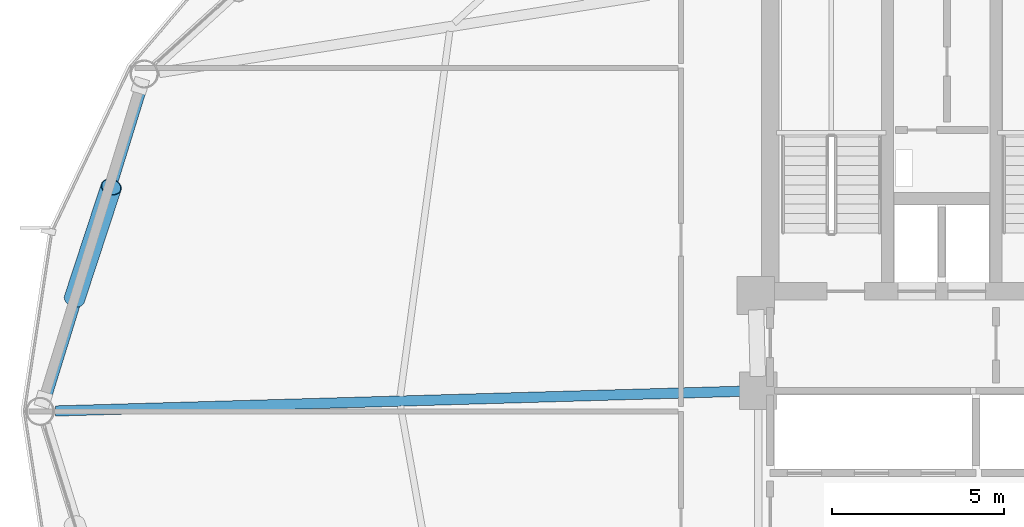
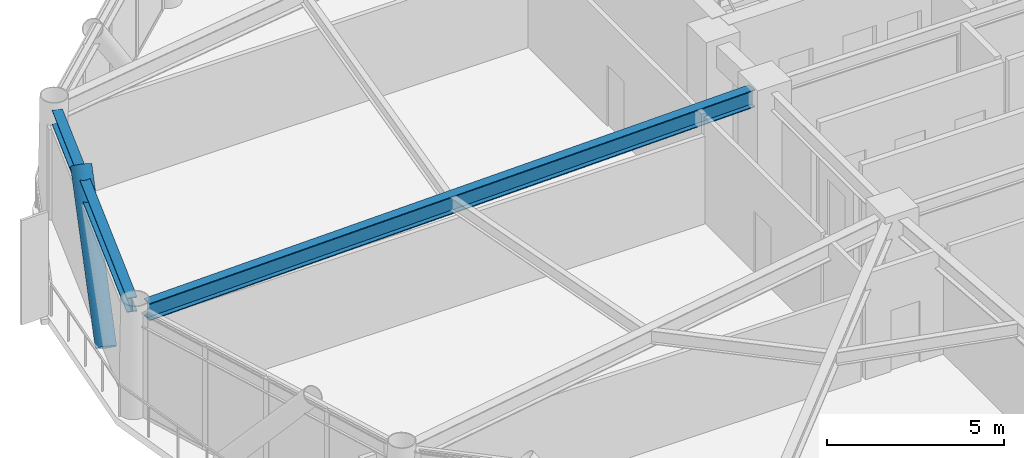
# One storey, part 9 of 25: 2 beams, 1 member.
"""IFC4 building model written with IfcOpenShell, lengths in metres."""

from ifc_helpers import new_model, si_unit, direction, frame, origin, origin_2d, place, context, subcontext, project, spatial, hollow_circle, i_section, extrude, material, material_profile, profile_set, type_object, element, save


model = new_model("IFC4")

# Units and contexts
model_context = context("Model", 3, precision=1e-05, world=origin(), true_north=direction((0.0, 1.0)))
body_context = subcontext(model_context, "Body", "Model", "MODEL_VIEW")
ifc_project = project(units=[si_unit("LENGTHUNIT", "METRE"), si_unit("AREAUNIT", "SQUARE_METRE"), si_unit("VOLUMEUNIT", "CUBIC_METRE"), si_unit("PLANEANGLEUNIT", "RADIAN"), si_unit("MASSUNIT", "GRAM", prefix="KILO")], contexts=[model_context])

# Site, building, storey
site_placement = place(None, origin())
site = spatial("IfcSite", under=ifc_project, at=site_placement, CompositionType="ELEMENT")
building_placement = place(site_placement, origin())
building = spatial("IfcBuilding", under=site, at=building_placement, Name="Varnakorn Sky Granary", CompositionType="ELEMENT")
storey_placement = place(building_placement, frame((0.0, 0.0, 91.5)))
storey = spatial("IfcBuildingStorey", under=building, at=storey_placement, Name="L22", CompositionType="ELEMENT", Elevation=91.5)

# Beams
ifc_material_1 = material(Name="Steel S355JR", Category="steel")
ifc_material_profile_1 = material_profile(ifc_material_1, i_section(OverallWidth=0.300048828125, OverallDepth=0.60009765625, WebThickness=0.015380859375, FlangeThickness=0.030029296875, at=origin_2d()), Name="HE 600 B")
ifc_profile_set_1 = profile_set([ifc_material_profile_1], Name="Steel S355JR")
beam_type_1 = type_object("IfcBeamType", Name="BM-RAD-Z2", PredefinedType="BEAM", material=ifc_profile_set_1)
beam_1_placement = place(storey_placement, frame((-2.769775390625, 0.587890625, 3.340087890625), z_axis=(-0.999586899184, -0.028740754676, 0.0), x_axis=(0.028740754676, -0.999586899184, 0.0)))
element("IfcBeam", 1, at=beam_1_placement, inside=storey, type_object=beam_type_1, Name="Radial Floor Girder RG07 L22", PredefinedType="BEAM", context=body_context, shape_type="SweptSolid", body=[
    extrude(i_section(OverallWidth=0.300048828125, OverallDepth=0.60009765625, WebThickness=0.015380859375, FlangeThickness=0.030029296875, at=origin_2d()), origin(), (0.0, 0.0, 1.0), 20.064208984375),
])
ifc_material_profile_2 = material_profile(ifc_material_1, i_section(OverallWidth=0.300048828125, OverallDepth=0.5, WebThickness=0.014404296875, FlangeThickness=0.028076171875, at=origin_2d()), Name="HE 500 B")
ifc_profile_set_2 = profile_set([ifc_material_profile_2], Name="Steel S355JR")
beam_type_2 = type_object("IfcBeamType", Name="BM-SPD-Z2", PredefinedType="SPANDREL", material=ifc_profile_set_2)
beam_2_placement = place(storey_placement, frame((-20.305908203125, 9.435791015625, 3.389892578125), z_axis=(-0.294800350665, -0.955558869588, 0.0), x_axis=(0.955558869588, -0.294800350665, 0.0)))
element("IfcBeam", 2, at=beam_2_placement, inside=storey, type_object=beam_type_2, Name="Perimeter Spandrel Ring Beam RB06 L22", PredefinedType="SPANDREL", context=body_context, shape_type="SweptSolid", body=[
    extrude(i_section(OverallWidth=0.300048828125, OverallDepth=0.5, WebThickness=0.014404296875, FlangeThickness=0.028076171875, at=origin_2d()), origin(), (0.0, 0.0, 1.0), 9.483154296875),
])

# Member
ifc_material_2 = material(Name="Steel S460M", Category="steel")
ifc_material_profile_3 = material_profile(ifc_material_2, hollow_circle(Radius=0.304931640625, WallThickness=0.022216796875, at=origin_2d()), Name="CHS 610x22")
ifc_profile_set_3 = profile_set([ifc_material_profile_3], Name="Steel S460M")
member_type = type_object("IfcMemberType", Name="MB-DIAG-T1", PredefinedType="BRACE", material=ifc_profile_set_3)
member_placement = place(storey_placement, frame((-22.271240234375, 3.27783203125, -0.1298828125), z_axis=(0.205668491626, 0.626000543306, 0.752212597165), x_axis=(-0.950039580361, 0.312129453509, 0.0)))
element("IfcMember", 3, at=member_placement, inside=storey, type_object=member_type, Name="Perimeter CHS Diagrid Brace DG06 L22", PredefinedType="BRACE", context=body_context, shape_type="SweptSolid", body=[
    extrude(hollow_circle(Radius=0.304931640625, WallThickness=0.022216796875, at=origin_2d()), origin(), (0.0, 0.0, 1.0), 5.211181640625),
])

save(model, "model.ifc")
